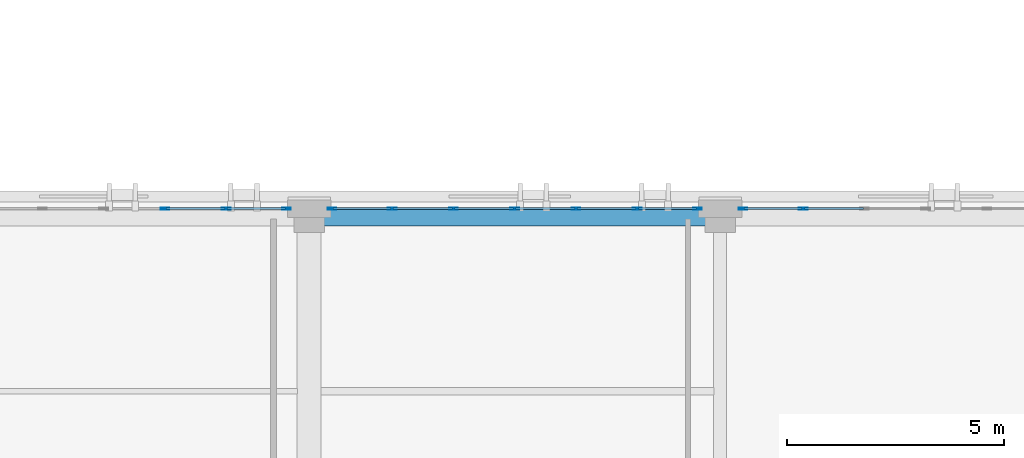
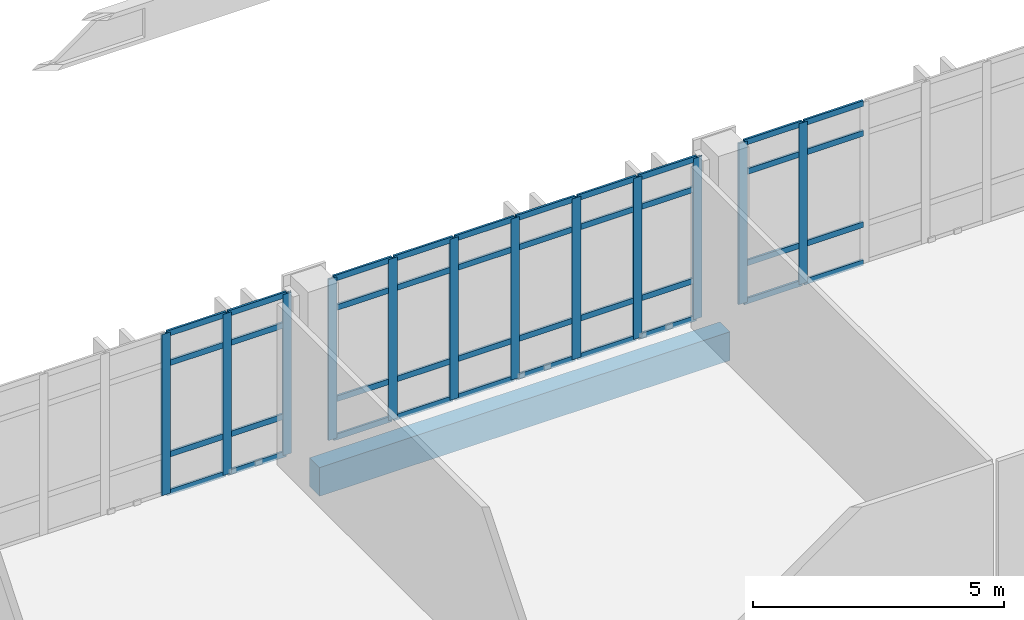
# One storey, part 27 of 158: 52 members, 1 beam, 3 elements without a shape of their own.
"""IFC4 building model written with IfcOpenShell, lengths in metres."""

from ifc_helpers import new_model, si_unit, direction, frame, origin, origin_2d, place, context, subcontext, project, spatial, rectangle, hollow_rectangle, extrude, material, layer, layer_set, material_profile, profile_set, type_object, element, aggregate, save


model = new_model("IFC4")

# Units and contexts
model_context = context("Model", 3, precision=1e-05, world=origin(), true_north=direction((0.0, 1.0)))
body_context = subcontext(model_context, "Body", "Model", "MODEL_VIEW")
ifc_project = project(units=[si_unit("LENGTHUNIT", "METRE"), si_unit("AREAUNIT", "SQUARE_METRE"), si_unit("VOLUMEUNIT", "CUBIC_METRE"), si_unit("PLANEANGLEUNIT", "RADIAN"), si_unit("MASSUNIT", "GRAM", prefix="KILO")], contexts=[model_context])

# Site, building, storey
site_placement = place(None, origin())
site = spatial("IfcSite", under=ifc_project, at=site_placement, CompositionType="ELEMENT")
building_placement = place(site_placement, origin())
building = spatial("IfcBuilding", under=site, at=building_placement, Name="Qalavern Law Courts", CompositionType="ELEMENT")
storey_placement = place(building_placement, frame((0.0, 0.0, 18.60009765625)))
storey = spatial("IfcBuildingStorey", under=building, at=storey_placement, Name="L04", CompositionType="ELEMENT", Elevation=18.60009765625)

# Curtain wall, members
ifc_material_1 = material(Name="Anodised aluminium and insulated glazing", Category="aluminium")
ifc_layer = layer(ifc_material_1, 0.18505859375)
ifc_layer_set = layer_set([ifc_layer], Name="Anodised aluminium and insulated glazing")
curtain_wall_type = type_object("IfcCurtainWallType", Name="ENV-CW-HALL", PredefinedType="USERDEFINED", material=ifc_layer_set)
curtain_wall_1_placement = place(storey_placement, origin())
curtain_wall_1 = element("IfcCurtainWall", 1, at=curtain_wall_1_placement, inside=storey, type_object=curtain_wall_type, Name="V2 unitised curtain wall L04 north 4", ObjectType="UNITISED CURTAIN WALL", PredefinedType="USERDEFINED")
ifc_material_2 = material(Name="Anodised aluminium", Category="aluminium")
ifc_material_profile_1 = material_profile(ifc_material_2, hollow_rectangle(XDim=0.048095703125, YDim=0.199951171875, WallThickness=0.00439453125, at=origin_2d()), Name="ALU MULLION 48x200")
ifc_profile_set_1 = profile_set([ifc_material_profile_1], Name="Anodised aluminium")
member_type_1 = type_object("IfcMemberType", Name="ENV-CWM-48x200", PredefinedType="MULLION", material=ifc_profile_set_1)
member_1_placement = place(storey_placement, frame((64.891845703125, 30.199951171875, 0.0), z_axis=(0.0, 0.0, 1.0), x_axis=(0.0, -1.0, 0.0)))
member_1 = element("IfcMember", 2, at=member_1_placement, type_object=member_type_1, Name="CW-02 mullion 6", PredefinedType="MULLION", context=body_context, shape_type="SweptSolid", body=[
    extrude(hollow_rectangle(XDim=0.048095703125, YDim=0.199951171875, WallThickness=0.00439453125, at=origin_2d()), origin(), (0.0, 0.0, 1.0), 3.9248046875),
])
member_2_placement = place(storey_placement, frame((63.5068359375, 30.199951171875, 0.0), z_axis=(0.0, 0.0, 1.0), x_axis=(0.0, -1.0, 0.0)))
member_2 = element("IfcMember", 3, at=member_2_placement, type_object=member_type_1, Name="CW-02 mullion 7", PredefinedType="MULLION", context=body_context, shape_type="SweptSolid", body=[
    extrude(hollow_rectangle(XDim=0.048095703125, YDim=0.199951171875, WallThickness=0.00439453125, at=origin_2d()), origin(), (0.0, 0.0, 1.0), 3.9248046875),
])

curtain_wall_2_placement = place(storey_placement, origin())
curtain_wall_2 = element("IfcCurtainWall", 4, at=curtain_wall_2_placement, inside=storey, type_object=curtain_wall_type, Name="V2 unitised curtain wall L04 north 5", ObjectType="UNITISED CURTAIN WALL", PredefinedType="USERDEFINED")
member_3_placement = place(storey_placement, frame((62.458984375, 30.199951171875, 0.0), z_axis=(0.0, 0.0, 1.0), x_axis=(0.0, -1.0, 0.0)))
member_3 = element("IfcMember", 5, at=member_3_placement, type_object=member_type_1, Name="CW-02 mullion 1", PredefinedType="MULLION", context=body_context, shape_type="SweptSolid", body=[
    extrude(hollow_rectangle(XDim=0.048095703125, YDim=0.199951171875, WallThickness=0.00439453125, at=origin_2d()), origin(), (0.0, 0.0, 1.0), 3.9248046875),
])
member_4_placement = place(storey_placement, frame((61.07373046875, 30.199951171875, 0.0), z_axis=(0.0, 0.0, 1.0), x_axis=(0.0, -1.0, 0.0)))
member_4 = element("IfcMember", 6, at=member_4_placement, type_object=member_type_1, Name="CW-02 mullion 2", PredefinedType="MULLION", context=body_context, shape_type="SweptSolid", body=[
    extrude(hollow_rectangle(XDim=0.048095703125, YDim=0.199951171875, WallThickness=0.00439453125, at=origin_2d()), origin(), (0.0, 0.0, 1.0), 3.9248046875),
])
member_5_placement = place(storey_placement, frame((59.664794921875, 30.199951171875, 0.0), z_axis=(0.0, 0.0, 1.0), x_axis=(0.0, -1.0, 0.0)))
member_5 = element("IfcMember", 7, at=member_5_placement, type_object=member_type_1, Name="CW-02 mullion 3", PredefinedType="MULLION", context=body_context, shape_type="SweptSolid", body=[
    extrude(hollow_rectangle(XDim=0.048095703125, YDim=0.199951171875, WallThickness=0.00439453125, at=origin_2d()), origin(), (0.0, 0.0, 1.0), 3.9248046875),
])
member_6_placement = place(storey_placement, frame((58.255859375, 30.199951171875, 0.0), z_axis=(0.0, 0.0, 1.0), x_axis=(0.0, -1.0, 0.0)))
member_6 = element("IfcMember", 8, at=member_6_placement, type_object=member_type_1, Name="CW-02 mullion 4", PredefinedType="MULLION", context=body_context, shape_type="SweptSolid", body=[
    extrude(hollow_rectangle(XDim=0.048095703125, YDim=0.199951171875, WallThickness=0.00439453125, at=origin_2d()), origin(), (0.0, 0.0, 1.0), 3.9248046875),
])
member_7_placement = place(storey_placement, frame((56.8466796875, 30.199951171875, 0.0), z_axis=(0.0, 0.0, 1.0), x_axis=(0.0, -1.0, 0.0)))
member_7 = element("IfcMember", 9, at=member_7_placement, type_object=member_type_1, Name="CW-02 mullion 5", PredefinedType="MULLION", context=body_context, shape_type="SweptSolid", body=[
    extrude(hollow_rectangle(XDim=0.048095703125, YDim=0.199951171875, WallThickness=0.00439453125, at=origin_2d()), origin(), (0.0, 0.0, 1.0), 3.9248046875),
])
member_8_placement = place(storey_placement, frame((55.437744140625, 30.199951171875, 0.0), z_axis=(0.0, 0.0, 1.0), x_axis=(0.0, -1.0, 0.0)))
member_8 = element("IfcMember", 10, at=member_8_placement, type_object=member_type_1, Name="CW-02 mullion 6", PredefinedType="MULLION", context=body_context, shape_type="SweptSolid", body=[
    extrude(hollow_rectangle(XDim=0.048095703125, YDim=0.199951171875, WallThickness=0.00439453125, at=origin_2d()), origin(), (0.0, 0.0, 1.0), 3.9248046875),
])
member_9_placement = place(storey_placement, frame((54.052490234375, 30.199951171875, 0.0), z_axis=(0.0, 0.0, 1.0), x_axis=(0.0, -1.0, 0.0)))
member_9 = element("IfcMember", 11, at=member_9_placement, type_object=member_type_1, Name="CW-02 mullion 7", PredefinedType="MULLION", context=body_context, shape_type="SweptSolid", body=[
    extrude(hollow_rectangle(XDim=0.048095703125, YDim=0.199951171875, WallThickness=0.00439453125, at=origin_2d()), origin(), (0.0, 0.0, 1.0), 3.9248046875),
])

curtain_wall_3_placement = place(storey_placement, origin())
curtain_wall_3 = element("IfcCurtainWall", 12, at=curtain_wall_3_placement, inside=storey, type_object=curtain_wall_type, Name="V2 unitised curtain wall L04 north 6", ObjectType="UNITISED CURTAIN WALL", PredefinedType="USERDEFINED")
member_10_placement = place(storey_placement, frame((53.004638671875, 30.199951171875, 0.0), z_axis=(0.0, 0.0, 1.0), x_axis=(0.0, -1.0, 0.0)))
member_10 = element("IfcMember", 13, at=member_10_placement, type_object=member_type_1, Name="CW-02 mullion 1", PredefinedType="MULLION", context=body_context, shape_type="SweptSolid", body=[
    extrude(hollow_rectangle(XDim=0.048095703125, YDim=0.199951171875, WallThickness=0.00439453125, at=origin_2d()), origin(), (0.0, 0.0, 1.0), 3.9248046875),
])
member_11_placement = place(storey_placement, frame((51.61962890625, 30.199951171875, 0.0), z_axis=(0.0, 0.0, 1.0), x_axis=(0.0, -1.0, 0.0)))
member_11 = element("IfcMember", 14, at=member_11_placement, type_object=member_type_1, Name="CW-02 mullion 2", PredefinedType="MULLION", context=body_context, shape_type="SweptSolid", body=[
    extrude(hollow_rectangle(XDim=0.048095703125, YDim=0.199951171875, WallThickness=0.00439453125, at=origin_2d()), origin(), (0.0, 0.0, 1.0), 3.9248046875),
])
member_12_placement = place(storey_placement, frame((50.21044921875, 30.199951171875, 0.0), z_axis=(0.0, 0.0, 1.0), x_axis=(0.0, -1.0, 0.0)))
member_12 = element("IfcMember", 15, at=member_12_placement, type_object=member_type_1, Name="CW-02 mullion 3", PredefinedType="MULLION", context=body_context, shape_type="SweptSolid", body=[
    extrude(hollow_rectangle(XDim=0.048095703125, YDim=0.199951171875, WallThickness=0.00439453125, at=origin_2d()), origin(), (0.0, 0.0, 1.0), 3.9248046875),
])

# Member
ifc_material_profile_2 = material_profile(ifc_material_2, hollow_rectangle(XDim=0.048095703125, YDim=0.139892578125, WallThickness=0.00390625, at=origin_2d()), Name="ALU TRANSOM 48x140")
ifc_profile_set_2 = profile_set([ifc_material_profile_2], Name="Anodised aluminium")
member_type_2 = type_object("IfcMemberType", Name="ENV-CWT-48x140", PredefinedType="USERDEFINED", material=ifc_profile_set_2)
member_13_placement = place(storey_placement, frame((66.27685546875, 30.199951171875, 0.02392578125), z_axis=(-1.0, 0.0, 0.0), x_axis=(0.0, -1.0, 0.0)))
member_13 = element("IfcMember", 16, at=member_13_placement, type_object=member_type_2, Name="CW-02 transom 5.1", ObjectType="TRANSOM", PredefinedType="USERDEFINED", context=body_context, shape_type="SweptSolid", body=[
    extrude(hollow_rectangle(XDim=0.048095703125, YDim=0.139892578125, WallThickness=0.00390625, at=origin_2d()), origin(), (0.0, 0.0, 1.0), 1.36083984375),
])

member_14_placement = place(storey_placement, frame((66.27685546875, 30.199951171875, 0.949951171875), z_axis=(-1.0, 0.0, 0.0), x_axis=(0.0, -1.0, 0.0)))
member_14 = element("IfcMember", 17, at=member_14_placement, type_object=member_type_2, Name="CW-02 transom 5.2", ObjectType="TRANSOM", PredefinedType="USERDEFINED", context=body_context, shape_type="SweptSolid", body=[
    extrude(hollow_rectangle(XDim=0.048095703125, YDim=0.139892578125, WallThickness=0.00390625, at=origin_2d()), origin(), (0.0, 0.0, 1.0), 1.36083984375),
])

member_15_placement = place(storey_placement, frame((66.27685546875, 30.199951171875, 3.1748046875), z_axis=(-1.0, 0.0, 0.0), x_axis=(0.0, -1.0, 0.0)))
member_15 = element("IfcMember", 18, at=member_15_placement, type_object=member_type_2, Name="CW-02 transom 5.3", ObjectType="TRANSOM", PredefinedType="USERDEFINED", context=body_context, shape_type="SweptSolid", body=[
    extrude(hollow_rectangle(XDim=0.048095703125, YDim=0.139892578125, WallThickness=0.00390625, at=origin_2d()), origin(), (0.0, 0.0, 1.0), 1.36083984375),
])

member_16_placement = place(storey_placement, frame((66.27685546875, 30.199951171875, 3.90087890625), z_axis=(-1.0, 0.0, 0.0), x_axis=(0.0, -1.0, 0.0)))
member_16 = element("IfcMember", 19, at=member_16_placement, type_object=member_type_2, Name="CW-02 transom 5.4", ObjectType="TRANSOM", PredefinedType="USERDEFINED", context=body_context, shape_type="SweptSolid", body=[
    extrude(hollow_rectangle(XDim=0.048095703125, YDim=0.139892578125, WallThickness=0.00390625, at=origin_2d()), origin(), (0.0, 0.0, 1.0), 1.36083984375),
])

member_17_placement = place(storey_placement, frame((64.867919921875, 30.199951171875, 0.02392578125), z_axis=(-1.0, 0.0, 0.0), x_axis=(0.0, -1.0, 0.0)))
member_17 = element("IfcMember", 20, at=member_17_placement, type_object=member_type_2, Name="CW-02 transom 6.1", ObjectType="TRANSOM", PredefinedType="USERDEFINED", context=body_context, shape_type="SweptSolid", body=[
    extrude(hollow_rectangle(XDim=0.048095703125, YDim=0.139892578125, WallThickness=0.00390625, at=origin_2d()), origin(), (0.0, 0.0, 1.0), 1.3369140625),
])

member_18_placement = place(storey_placement, frame((64.867919921875, 30.199951171875, 0.949951171875), z_axis=(-1.0, 0.0, 0.0), x_axis=(0.0, -1.0, 0.0)))
member_18 = element("IfcMember", 21, at=member_18_placement, type_object=member_type_2, Name="CW-02 transom 6.2", ObjectType="TRANSOM", PredefinedType="USERDEFINED", context=body_context, shape_type="SweptSolid", body=[
    extrude(hollow_rectangle(XDim=0.048095703125, YDim=0.139892578125, WallThickness=0.00390625, at=origin_2d()), origin(), (0.0, 0.0, 1.0), 1.3369140625),
])

member_19_placement = place(storey_placement, frame((64.867919921875, 30.199951171875, 3.1748046875), z_axis=(-1.0, 0.0, 0.0), x_axis=(0.0, -1.0, 0.0)))
member_19 = element("IfcMember", 22, at=member_19_placement, type_object=member_type_2, Name="CW-02 transom 6.3", ObjectType="TRANSOM", PredefinedType="USERDEFINED", context=body_context, shape_type="SweptSolid", body=[
    extrude(hollow_rectangle(XDim=0.048095703125, YDim=0.139892578125, WallThickness=0.00390625, at=origin_2d()), origin(), (0.0, 0.0, 1.0), 1.3369140625),
])

member_20_placement = place(storey_placement, frame((64.867919921875, 30.199951171875, 3.90087890625), z_axis=(-1.0, 0.0, 0.0), x_axis=(0.0, -1.0, 0.0)))
member_20 = element("IfcMember", 23, at=member_20_placement, type_object=member_type_2, Name="CW-02 transom 6.4", ObjectType="TRANSOM", PredefinedType="USERDEFINED", context=body_context, shape_type="SweptSolid", body=[
    extrude(hollow_rectangle(XDim=0.048095703125, YDim=0.139892578125, WallThickness=0.00390625, at=origin_2d()), origin(), (0.0, 0.0, 1.0), 1.3369140625),
])

aggregate(curtain_wall_1, [member_1, member_2, member_13, member_14, member_15, member_16, member_17, member_18, member_19, member_20])

member_21_placement = place(storey_placement, frame((62.434814453125, 30.199951171875, 0.02392578125), z_axis=(-1.0, 0.0, 0.0), x_axis=(0.0, -1.0, 0.0)))
member_21 = element("IfcMember", 24, at=member_21_placement, type_object=member_type_2, Name="CW-02 transom 1.1", ObjectType="TRANSOM", PredefinedType="USERDEFINED", context=body_context, shape_type="SweptSolid", body=[
    extrude(hollow_rectangle(XDim=0.048095703125, YDim=0.139892578125, WallThickness=0.00390625, at=origin_2d()), origin(), (0.0, 0.0, 1.0), 1.3369140625),
])

member_22_placement = place(storey_placement, frame((62.434814453125, 30.199951171875, 0.949951171875), z_axis=(-1.0, 0.0, 0.0), x_axis=(0.0, -1.0, 0.0)))
member_22 = element("IfcMember", 25, at=member_22_placement, type_object=member_type_2, Name="CW-02 transom 1.2", ObjectType="TRANSOM", PredefinedType="USERDEFINED", context=body_context, shape_type="SweptSolid", body=[
    extrude(hollow_rectangle(XDim=0.048095703125, YDim=0.139892578125, WallThickness=0.00390625, at=origin_2d()), origin(), (0.0, 0.0, 1.0), 1.3369140625),
])

member_23_placement = place(storey_placement, frame((62.434814453125, 30.199951171875, 3.1748046875), z_axis=(-1.0, 0.0, 0.0), x_axis=(0.0, -1.0, 0.0)))
member_23 = element("IfcMember", 26, at=member_23_placement, type_object=member_type_2, Name="CW-02 transom 1.3", ObjectType="TRANSOM", PredefinedType="USERDEFINED", context=body_context, shape_type="SweptSolid", body=[
    extrude(hollow_rectangle(XDim=0.048095703125, YDim=0.139892578125, WallThickness=0.00390625, at=origin_2d()), origin(), (0.0, 0.0, 1.0), 1.3369140625),
])

member_24_placement = place(storey_placement, frame((62.434814453125, 30.199951171875, 3.90087890625), z_axis=(-1.0, 0.0, 0.0), x_axis=(0.0, -1.0, 0.0)))
member_24 = element("IfcMember", 27, at=member_24_placement, type_object=member_type_2, Name="CW-02 transom 1.4", ObjectType="TRANSOM", PredefinedType="USERDEFINED", context=body_context, shape_type="SweptSolid", body=[
    extrude(hollow_rectangle(XDim=0.048095703125, YDim=0.139892578125, WallThickness=0.00390625, at=origin_2d()), origin(), (0.0, 0.0, 1.0), 1.3369140625),
])

member_25_placement = place(storey_placement, frame((61.0498046875, 30.199951171875, 0.02392578125), z_axis=(-1.0, 0.0, 0.0), x_axis=(0.0, -1.0, 0.0)))
member_25 = element("IfcMember", 28, at=member_25_placement, type_object=member_type_2, Name="CW-02 transom 2.1", ObjectType="TRANSOM", PredefinedType="USERDEFINED", context=body_context, shape_type="SweptSolid", body=[
    extrude(hollow_rectangle(XDim=0.048095703125, YDim=0.139892578125, WallThickness=0.00390625, at=origin_2d()), origin(), (0.0, 0.0, 1.0), 1.361083984375),
])

member_26_placement = place(storey_placement, frame((61.0498046875, 30.199951171875, 0.949951171875), z_axis=(-1.0, 0.0, 0.0), x_axis=(0.0, -1.0, 0.0)))
member_26 = element("IfcMember", 29, at=member_26_placement, type_object=member_type_2, Name="CW-02 transom 2.2", ObjectType="TRANSOM", PredefinedType="USERDEFINED", context=body_context, shape_type="SweptSolid", body=[
    extrude(hollow_rectangle(XDim=0.048095703125, YDim=0.139892578125, WallThickness=0.00390625, at=origin_2d()), origin(), (0.0, 0.0, 1.0), 1.361083984375),
])

member_27_placement = place(storey_placement, frame((61.0498046875, 30.199951171875, 3.1748046875), z_axis=(-1.0, 0.0, 0.0), x_axis=(0.0, -1.0, 0.0)))
member_27 = element("IfcMember", 30, at=member_27_placement, type_object=member_type_2, Name="CW-02 transom 2.3", ObjectType="TRANSOM", PredefinedType="USERDEFINED", context=body_context, shape_type="SweptSolid", body=[
    extrude(hollow_rectangle(XDim=0.048095703125, YDim=0.139892578125, WallThickness=0.00390625, at=origin_2d()), origin(), (0.0, 0.0, 1.0), 1.361083984375),
])

member_28_placement = place(storey_placement, frame((61.0498046875, 30.199951171875, 3.90087890625), z_axis=(-1.0, 0.0, 0.0), x_axis=(0.0, -1.0, 0.0)))
member_28 = element("IfcMember", 31, at=member_28_placement, type_object=member_type_2, Name="CW-02 transom 2.4", ObjectType="TRANSOM", PredefinedType="USERDEFINED", context=body_context, shape_type="SweptSolid", body=[
    extrude(hollow_rectangle(XDim=0.048095703125, YDim=0.139892578125, WallThickness=0.00390625, at=origin_2d()), origin(), (0.0, 0.0, 1.0), 1.361083984375),
])

member_29_placement = place(storey_placement, frame((59.640869140625, 30.199951171875, 0.02392578125), z_axis=(-1.0, 0.0, 0.0), x_axis=(0.0, -1.0, 0.0)))
member_29 = element("IfcMember", 32, at=member_29_placement, type_object=member_type_2, Name="CW-02 transom 3.1", ObjectType="TRANSOM", PredefinedType="USERDEFINED", context=body_context, shape_type="SweptSolid", body=[
    extrude(hollow_rectangle(XDim=0.048095703125, YDim=0.139892578125, WallThickness=0.00390625, at=origin_2d()), origin(), (0.0, 0.0, 1.0), 1.361083984375),
])

member_30_placement = place(storey_placement, frame((59.640869140625, 30.199951171875, 0.949951171875), z_axis=(-1.0, 0.0, 0.0), x_axis=(0.0, -1.0, 0.0)))
member_30 = element("IfcMember", 33, at=member_30_placement, type_object=member_type_2, Name="CW-02 transom 3.2", ObjectType="TRANSOM", PredefinedType="USERDEFINED", context=body_context, shape_type="SweptSolid", body=[
    extrude(hollow_rectangle(XDim=0.048095703125, YDim=0.139892578125, WallThickness=0.00390625, at=origin_2d()), origin(), (0.0, 0.0, 1.0), 1.361083984375),
])

member_31_placement = place(storey_placement, frame((59.640869140625, 30.199951171875, 3.1748046875), z_axis=(-1.0, 0.0, 0.0), x_axis=(0.0, -1.0, 0.0)))
member_31 = element("IfcMember", 34, at=member_31_placement, type_object=member_type_2, Name="CW-02 transom 3.3", ObjectType="TRANSOM", PredefinedType="USERDEFINED", context=body_context, shape_type="SweptSolid", body=[
    extrude(hollow_rectangle(XDim=0.048095703125, YDim=0.139892578125, WallThickness=0.00390625, at=origin_2d()), origin(), (0.0, 0.0, 1.0), 1.361083984375),
])

member_32_placement = place(storey_placement, frame((59.640869140625, 30.199951171875, 3.90087890625), z_axis=(-1.0, 0.0, 0.0), x_axis=(0.0, -1.0, 0.0)))
member_32 = element("IfcMember", 35, at=member_32_placement, type_object=member_type_2, Name="CW-02 transom 3.4", ObjectType="TRANSOM", PredefinedType="USERDEFINED", context=body_context, shape_type="SweptSolid", body=[
    extrude(hollow_rectangle(XDim=0.048095703125, YDim=0.139892578125, WallThickness=0.00390625, at=origin_2d()), origin(), (0.0, 0.0, 1.0), 1.361083984375),
])

member_33_placement = place(storey_placement, frame((58.231689453125, 30.199951171875, 0.02392578125), z_axis=(-1.0, 0.0, 0.0), x_axis=(0.0, -1.0, 0.0)))
member_33 = element("IfcMember", 36, at=member_33_placement, type_object=member_type_2, Name="CW-02 transom 4.1", ObjectType="TRANSOM", PredefinedType="USERDEFINED", context=body_context, shape_type="SweptSolid", body=[
    extrude(hollow_rectangle(XDim=0.048095703125, YDim=0.139892578125, WallThickness=0.00390625, at=origin_2d()), origin(), (0.0, 0.0, 1.0), 1.361083984375),
])

member_34_placement = place(storey_placement, frame((58.231689453125, 30.199951171875, 0.949951171875), z_axis=(-1.0, 0.0, 0.0), x_axis=(0.0, -1.0, 0.0)))
member_34 = element("IfcMember", 37, at=member_34_placement, type_object=member_type_2, Name="CW-02 transom 4.2", ObjectType="TRANSOM", PredefinedType="USERDEFINED", context=body_context, shape_type="SweptSolid", body=[
    extrude(hollow_rectangle(XDim=0.048095703125, YDim=0.139892578125, WallThickness=0.00390625, at=origin_2d()), origin(), (0.0, 0.0, 1.0), 1.361083984375),
])

member_35_placement = place(storey_placement, frame((58.231689453125, 30.199951171875, 3.1748046875), z_axis=(-1.0, 0.0, 0.0), x_axis=(0.0, -1.0, 0.0)))
member_35 = element("IfcMember", 38, at=member_35_placement, type_object=member_type_2, Name="CW-02 transom 4.3", ObjectType="TRANSOM", PredefinedType="USERDEFINED", context=body_context, shape_type="SweptSolid", body=[
    extrude(hollow_rectangle(XDim=0.048095703125, YDim=0.139892578125, WallThickness=0.00390625, at=origin_2d()), origin(), (0.0, 0.0, 1.0), 1.361083984375),
])

member_36_placement = place(storey_placement, frame((58.231689453125, 30.199951171875, 3.90087890625), z_axis=(-1.0, 0.0, 0.0), x_axis=(0.0, -1.0, 0.0)))
member_36 = element("IfcMember", 39, at=member_36_placement, type_object=member_type_2, Name="CW-02 transom 4.4", ObjectType="TRANSOM", PredefinedType="USERDEFINED", context=body_context, shape_type="SweptSolid", body=[
    extrude(hollow_rectangle(XDim=0.048095703125, YDim=0.139892578125, WallThickness=0.00390625, at=origin_2d()), origin(), (0.0, 0.0, 1.0), 1.361083984375),
])

member_37_placement = place(storey_placement, frame((56.82275390625, 30.199951171875, 0.02392578125), z_axis=(-1.0, 0.0, 0.0), x_axis=(0.0, -1.0, 0.0)))
member_37 = element("IfcMember", 40, at=member_37_placement, type_object=member_type_2, Name="CW-02 transom 5.1", ObjectType="TRANSOM", PredefinedType="USERDEFINED", context=body_context, shape_type="SweptSolid", body=[
    extrude(hollow_rectangle(XDim=0.048095703125, YDim=0.139892578125, WallThickness=0.00390625, at=origin_2d()), origin(), (0.0, 0.0, 1.0), 1.361083984375),
])

member_38_placement = place(storey_placement, frame((56.82275390625, 30.199951171875, 0.949951171875), z_axis=(-1.0, 0.0, 0.0), x_axis=(0.0, -1.0, 0.0)))
member_38 = element("IfcMember", 41, at=member_38_placement, type_object=member_type_2, Name="CW-02 transom 5.2", ObjectType="TRANSOM", PredefinedType="USERDEFINED", context=body_context, shape_type="SweptSolid", body=[
    extrude(hollow_rectangle(XDim=0.048095703125, YDim=0.139892578125, WallThickness=0.00390625, at=origin_2d()), origin(), (0.0, 0.0, 1.0), 1.361083984375),
])

member_39_placement = place(storey_placement, frame((56.82275390625, 30.199951171875, 3.1748046875), z_axis=(-1.0, 0.0, 0.0), x_axis=(0.0, -1.0, 0.0)))
member_39 = element("IfcMember", 42, at=member_39_placement, type_object=member_type_2, Name="CW-02 transom 5.3", ObjectType="TRANSOM", PredefinedType="USERDEFINED", context=body_context, shape_type="SweptSolid", body=[
    extrude(hollow_rectangle(XDim=0.048095703125, YDim=0.139892578125, WallThickness=0.00390625, at=origin_2d()), origin(), (0.0, 0.0, 1.0), 1.361083984375),
])

member_40_placement = place(storey_placement, frame((56.82275390625, 30.199951171875, 3.90087890625), z_axis=(-1.0, 0.0, 0.0), x_axis=(0.0, -1.0, 0.0)))
member_40 = element("IfcMember", 43, at=member_40_placement, type_object=member_type_2, Name="CW-02 transom 5.4", ObjectType="TRANSOM", PredefinedType="USERDEFINED", context=body_context, shape_type="SweptSolid", body=[
    extrude(hollow_rectangle(XDim=0.048095703125, YDim=0.139892578125, WallThickness=0.00390625, at=origin_2d()), origin(), (0.0, 0.0, 1.0), 1.361083984375),
])

member_41_placement = place(storey_placement, frame((55.41357421875, 30.199951171875, 0.02392578125), z_axis=(-1.0, 0.0, 0.0), x_axis=(0.0, -1.0, 0.0)))
member_41 = element("IfcMember", 44, at=member_41_placement, type_object=member_type_2, Name="CW-02 transom 6.1", ObjectType="TRANSOM", PredefinedType="USERDEFINED", context=body_context, shape_type="SweptSolid", body=[
    extrude(hollow_rectangle(XDim=0.048095703125, YDim=0.139892578125, WallThickness=0.00390625, at=origin_2d()), origin(), (0.0, 0.0, 1.0), 1.3369140625),
])

member_42_placement = place(storey_placement, frame((55.41357421875, 30.199951171875, 0.949951171875), z_axis=(-1.0, 0.0, 0.0), x_axis=(0.0, -1.0, 0.0)))
member_42 = element("IfcMember", 45, at=member_42_placement, type_object=member_type_2, Name="CW-02 transom 6.2", ObjectType="TRANSOM", PredefinedType="USERDEFINED", context=body_context, shape_type="SweptSolid", body=[
    extrude(hollow_rectangle(XDim=0.048095703125, YDim=0.139892578125, WallThickness=0.00390625, at=origin_2d()), origin(), (0.0, 0.0, 1.0), 1.3369140625),
])

member_43_placement = place(storey_placement, frame((55.41357421875, 30.199951171875, 3.1748046875), z_axis=(-1.0, 0.0, 0.0), x_axis=(0.0, -1.0, 0.0)))
member_43 = element("IfcMember", 46, at=member_43_placement, type_object=member_type_2, Name="CW-02 transom 6.3", ObjectType="TRANSOM", PredefinedType="USERDEFINED", context=body_context, shape_type="SweptSolid", body=[
    extrude(hollow_rectangle(XDim=0.048095703125, YDim=0.139892578125, WallThickness=0.00390625, at=origin_2d()), origin(), (0.0, 0.0, 1.0), 1.3369140625),
])

member_44_placement = place(storey_placement, frame((55.41357421875, 30.199951171875, 3.90087890625), z_axis=(-1.0, 0.0, 0.0), x_axis=(0.0, -1.0, 0.0)))
member_44 = element("IfcMember", 47, at=member_44_placement, type_object=member_type_2, Name="CW-02 transom 6.4", ObjectType="TRANSOM", PredefinedType="USERDEFINED", context=body_context, shape_type="SweptSolid", body=[
    extrude(hollow_rectangle(XDim=0.048095703125, YDim=0.139892578125, WallThickness=0.00390625, at=origin_2d()), origin(), (0.0, 0.0, 1.0), 1.3369140625),
])

aggregate(curtain_wall_2, [member_3, member_4, member_5, member_6, member_7, member_8, member_9, member_21, member_22, member_23, member_24, member_25, member_26, member_27, member_28, member_29, member_30, member_31, member_32, member_33, member_34, member_35, member_36, member_37, member_38, member_39, member_40, member_41, member_42, member_43, member_44])

member_45_placement = place(storey_placement, frame((52.980712890625, 30.199951171875, 0.02392578125), z_axis=(-1.0, 0.0, 0.0), x_axis=(0.0, -1.0, 0.0)))
member_45 = element("IfcMember", 48, at=member_45_placement, type_object=member_type_2, Name="CW-02 transom 1.1", ObjectType="TRANSOM", PredefinedType="USERDEFINED", context=body_context, shape_type="SweptSolid", body=[
    extrude(hollow_rectangle(XDim=0.048095703125, YDim=0.139892578125, WallThickness=0.00390625, at=origin_2d()), origin(), (0.0, 0.0, 1.0), 1.337158203125),
])

member_46_placement = place(storey_placement, frame((52.980712890625, 30.199951171875, 0.949951171875), z_axis=(-1.0, 0.0, 0.0), x_axis=(0.0, -1.0, 0.0)))
member_46 = element("IfcMember", 49, at=member_46_placement, type_object=member_type_2, Name="CW-02 transom 1.2", ObjectType="TRANSOM", PredefinedType="USERDEFINED", context=body_context, shape_type="SweptSolid", body=[
    extrude(hollow_rectangle(XDim=0.048095703125, YDim=0.139892578125, WallThickness=0.00390625, at=origin_2d()), origin(), (0.0, 0.0, 1.0), 1.337158203125),
])

member_47_placement = place(storey_placement, frame((52.980712890625, 30.199951171875, 3.1748046875), z_axis=(-1.0, 0.0, 0.0), x_axis=(0.0, -1.0, 0.0)))
member_47 = element("IfcMember", 50, at=member_47_placement, type_object=member_type_2, Name="CW-02 transom 1.3", ObjectType="TRANSOM", PredefinedType="USERDEFINED", context=body_context, shape_type="SweptSolid", body=[
    extrude(hollow_rectangle(XDim=0.048095703125, YDim=0.139892578125, WallThickness=0.00390625, at=origin_2d()), origin(), (0.0, 0.0, 1.0), 1.337158203125),
])

member_48_placement = place(storey_placement, frame((52.980712890625, 30.199951171875, 3.90087890625), z_axis=(-1.0, 0.0, 0.0), x_axis=(0.0, -1.0, 0.0)))
member_48 = element("IfcMember", 51, at=member_48_placement, type_object=member_type_2, Name="CW-02 transom 1.4", ObjectType="TRANSOM", PredefinedType="USERDEFINED", context=body_context, shape_type="SweptSolid", body=[
    extrude(hollow_rectangle(XDim=0.048095703125, YDim=0.139892578125, WallThickness=0.00390625, at=origin_2d()), origin(), (0.0, 0.0, 1.0), 1.337158203125),
])

member_49_placement = place(storey_placement, frame((51.595458984375, 30.199951171875, 0.02392578125), z_axis=(-1.0, 0.0, 0.0), x_axis=(0.0, -1.0, 0.0)))
member_49 = element("IfcMember", 52, at=member_49_placement, type_object=member_type_2, Name="CW-02 transom 2.1", ObjectType="TRANSOM", PredefinedType="USERDEFINED", context=body_context, shape_type="SweptSolid", body=[
    extrude(hollow_rectangle(XDim=0.048095703125, YDim=0.139892578125, WallThickness=0.00390625, at=origin_2d()), origin(), (0.0, 0.0, 1.0), 1.36083984375),
])

member_50_placement = place(storey_placement, frame((51.595458984375, 30.199951171875, 0.949951171875), z_axis=(-1.0, 0.0, 0.0), x_axis=(0.0, -1.0, 0.0)))
member_50 = element("IfcMember", 53, at=member_50_placement, type_object=member_type_2, Name="CW-02 transom 2.2", ObjectType="TRANSOM", PredefinedType="USERDEFINED", context=body_context, shape_type="SweptSolid", body=[
    extrude(hollow_rectangle(XDim=0.048095703125, YDim=0.139892578125, WallThickness=0.00390625, at=origin_2d()), origin(), (0.0, 0.0, 1.0), 1.36083984375),
])

member_51_placement = place(storey_placement, frame((51.595458984375, 30.199951171875, 3.1748046875), z_axis=(-1.0, 0.0, 0.0), x_axis=(0.0, -1.0, 0.0)))
member_51 = element("IfcMember", 54, at=member_51_placement, type_object=member_type_2, Name="CW-02 transom 2.3", ObjectType="TRANSOM", PredefinedType="USERDEFINED", context=body_context, shape_type="SweptSolid", body=[
    extrude(hollow_rectangle(XDim=0.048095703125, YDim=0.139892578125, WallThickness=0.00390625, at=origin_2d()), origin(), (0.0, 0.0, 1.0), 1.36083984375),
])

member_52_placement = place(storey_placement, frame((51.595458984375, 30.199951171875, 3.90087890625), z_axis=(-1.0, 0.0, 0.0), x_axis=(0.0, -1.0, 0.0)))
member_52 = element("IfcMember", 55, at=member_52_placement, type_object=member_type_2, Name="CW-02 transom 2.4", ObjectType="TRANSOM", PredefinedType="USERDEFINED", context=body_context, shape_type="SweptSolid", body=[
    extrude(hollow_rectangle(XDim=0.048095703125, YDim=0.139892578125, WallThickness=0.00390625, at=origin_2d()), origin(), (0.0, 0.0, 1.0), 1.36083984375),
])

aggregate(curtain_wall_3, [member_10, member_11, member_12, member_45, member_46, member_47, member_48, member_49, member_50, member_51, member_52])

# Beam
ifc_material_3 = material(Name="Concrete C40/50", Category="concrete")
ifc_material_profile_3 = material_profile(ifc_material_3, rectangle(XDim=0.39990234375, YDim=0.699951171875, at=origin_2d()), Name="RC 400x700")
ifc_profile_set_3 = profile_set([ifc_material_profile_3], Name="Concrete C40/50")
beam_type = type_object("IfcBeamType", Name="STR-SP-RC400x700", PredefinedType="SPANDREL", material=ifc_profile_set_3)
beam_placement = place(storey_placement, frame((53.528564453125, 30.0, -0.630126953125), z_axis=(1.0, 0.0, 0.0), x_axis=(0.0, 1.0, 0.0)))
element("IfcBeam", 56, at=beam_placement, inside=storey, type_object=beam_type, Name="V2 X-beam 4-3 L04", PredefinedType="SPANDREL", context=body_context, shape_type="SweptSolid", body=[
    extrude(rectangle(XDim=0.39990234375, YDim=0.699951171875, at=origin_2d()), origin(), (0.0, 0.0, 1.0), 9.454345703125),
])

save(model, "model.ifc")
